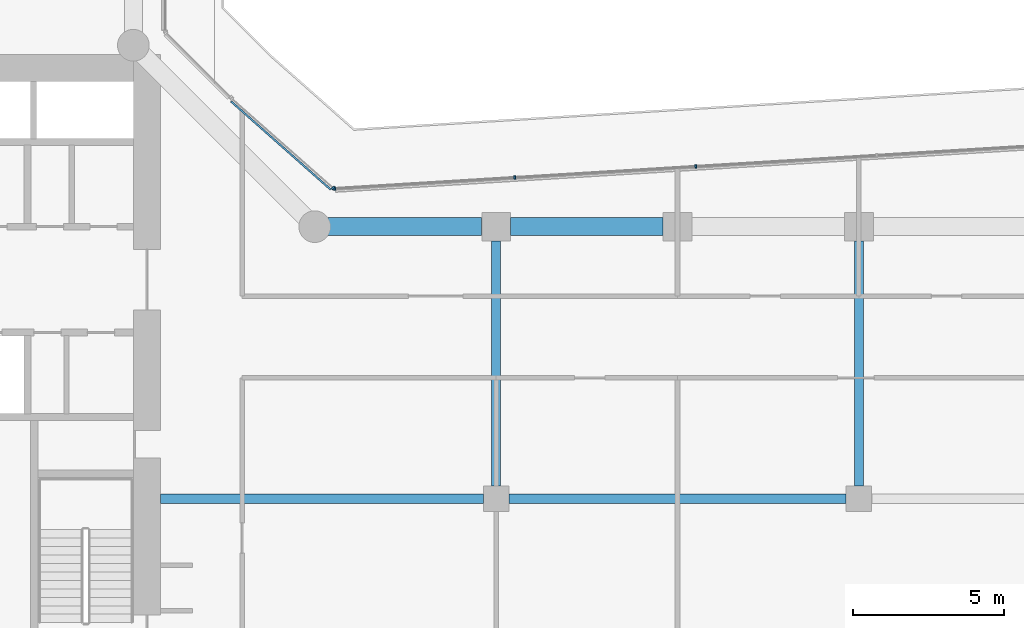
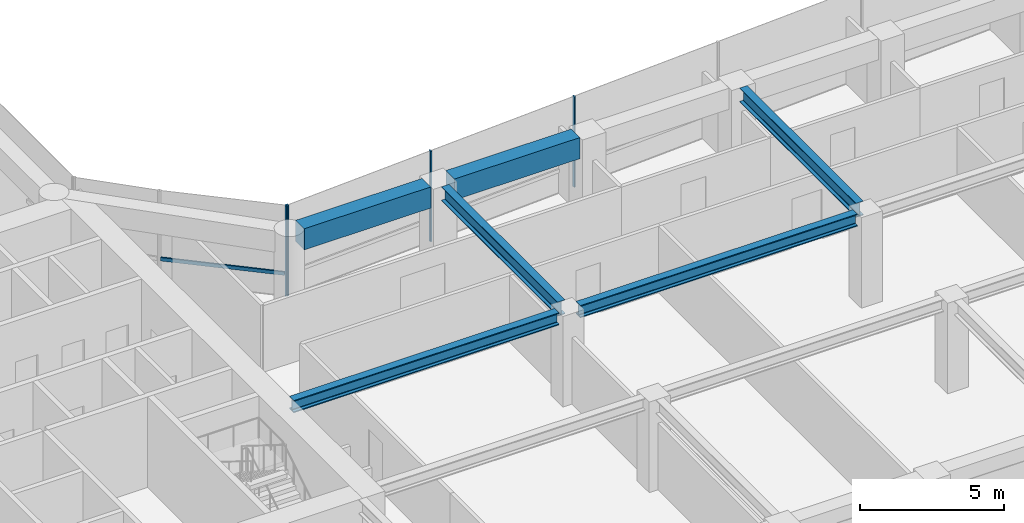
# One storey, part 9 of 29: 6 beams, 5 members, 2 elements without a shape of their own.
"""IFC4 building model written with IfcOpenShell, lengths in metres."""

from ifc_helpers import new_model, si_unit, direction, frame, origin, origin_2d, place, context, subcontext, project, spatial, rectangle, i_section, extrude, material, layer, layer_set, material_profile, profile_set, type_object, element, aggregate, save


model = new_model("IFC4")

# Units and contexts
model_context = context("Model", 3, precision=1e-05, world=origin(), true_north=direction((0.0, 1.0)))
body_context = subcontext(model_context, "Body", "Model", "MODEL_VIEW")
ifc_project = project(units=[si_unit("LENGTHUNIT", "METRE"), si_unit("AREAUNIT", "SQUARE_METRE"), si_unit("VOLUMEUNIT", "CUBIC_METRE"), si_unit("PLANEANGLEUNIT", "RADIAN"), si_unit("MASSUNIT", "GRAM", prefix="KILO")], contexts=[model_context])

# Site, building, storey
site_placement = place(None, origin())
site = spatial("IfcSite", under=ifc_project, at=site_placement, CompositionType="ELEMENT")
building_placement = place(site_placement, origin())
building = spatial("IfcBuilding", under=site, at=building_placement, Name="Welwitschia Terrace Campus", CompositionType="ELEMENT")
storey_placement = place(building_placement, frame((0.0, 0.0, 66.800048828125)))
storey = spatial("IfcBuildingStorey", under=building, at=storey_placement, Name="L15", CompositionType="ELEMENT", Elevation=66.800048828125)

# Beams
ifc_material_1 = material(Name="Steel S355", Category="steel")
ifc_material_profile_1 = material_profile(ifc_material_1, i_section(OverallWidth=0.305908203125, OverallDepth=0.52392578125, WebThickness=0.02099609375, FlangeThickness=0.0400390625, FilletRadius=0.027099609375, at=origin_2d()))
ifc_profile_set_1 = profile_set([ifc_material_profile_1], Name="Steel S355")
beam_type_1 = type_object("IfcBeamType", Name="Interior girder HE 500 M", PredefinedType="BEAM", material=ifc_profile_set_1)
beam_1_placement = place(storey_placement, frame((24.90087890625, 11.0, 3.587890625), z_axis=(1.0, 0.0, 0.0), x_axis=(0.0, 1.0, 0.0)))
element("IfcBeam", 1, at=beam_1_placement, inside=storey, type_object=beam_type_1, Name="Girder GB2", PredefinedType="BEAM", context=body_context, shape_type="SweptSolid", body=[
    extrude(i_section(OverallWidth=0.305908203125, OverallDepth=0.52392578125, WebThickness=0.02099609375, FlangeThickness=0.0400390625, FilletRadius=0.027099609375, at=origin_2d()), origin(), (0.0, 0.0, 1.0), 10.673583984375),
])
beam_2_placement = place(storey_placement, frame((36.425537109375, 11.0, 3.587890625), z_axis=(1.0, 0.0, 0.0), x_axis=(0.0, 1.0, 0.0)))
element("IfcBeam", 2, at=beam_2_placement, inside=storey, type_object=beam_type_1, Name="Girder GB2", PredefinedType="BEAM", context=body_context, shape_type="SweptSolid", body=[
    extrude(i_section(OverallWidth=0.305908203125, OverallDepth=0.52392578125, WebThickness=0.02099609375, FlangeThickness=0.0400390625, FilletRadius=0.027099609375, at=origin_2d()), origin(), (0.0, 0.0, 1.0), 11.14892578125),
])

# Curtain wall, members
ifc_material_2 = material(Name="Bronze anodised aluminium", Category="aluminium")
ifc_layer = layer(ifc_material_2, 0.1201171875)
ifc_layer_set = layer_set([ifc_layer], Name="Bronze anodised aluminium")
curtain_wall_type = type_object("IfcCurtainWallType", Name="Curtain wall CW2 tower 6000", PredefinedType="NOTDEFINED", material=ifc_layer_set)
curtain_wall_1_placement = place(storey_placement, origin())
curtain_wall_1 = element("IfcCurtainWall", 3, at=curtain_wall_1_placement, inside=storey, type_object=curtain_wall_type, Name="CW L15.7.0", PredefinedType="NOTDEFINED")
ifc_material_3 = material(Name="Bronze anodised aluminium", Category="aluminium")
ifc_material_profile_2 = material_profile(ifc_material_3, rectangle(XDim=0.1201171875, YDim=0.06005859375, at=origin_2d()))
ifc_profile_set_2 = profile_set([ifc_material_profile_2], Name="Bronze anodised aluminium")
member_type_1 = type_object("IfcMemberType", Name="Mullion 60x120", PredefinedType="MULLION", material=ifc_profile_set_2)
member_1_placement = place(storey_placement, frame((42.60693359375, 21.989990234375, 0.0), z_axis=(0.0, 0.0, 1.0), x_axis=(0.061048539535, -0.998134798422, 0.0)))
member_1 = element("IfcMember", 4, at=member_1_placement, type_object=member_type_1, Name="Mullion L15.7.0.3", PredefinedType="MULLION", context=body_context, shape_type="SweptSolid", body=[
    extrude(rectangle(XDim=0.1201171875, YDim=0.06005859375, at=origin_2d()), origin(), (0.0, 0.0, 1.0), 3.849853515625),
])
member_2_placement = place(storey_placement, frame((36.6181640625, 21.623779296875, 0.0), z_axis=(0.0, 0.0, 1.0), x_axis=(0.061048539535, -0.998134798422, 0.0)))
member_2 = element("IfcMember", 5, at=member_2_placement, type_object=member_type_1, Name="Mullion L15.7.0.4", PredefinedType="MULLION", context=body_context, shape_type="SweptSolid", body=[
    extrude(rectangle(XDim=0.1201171875, YDim=0.06005859375, at=origin_2d()), origin(), (0.0, 0.0, 1.0), 3.849853515625),
])
member_3_placement = place(storey_placement, frame((30.6591796875, 21.25927734375, 0.0), z_axis=(0.0, 0.0, 1.0), x_axis=(0.061048539535, -0.998134798422, 0.0)))
member_3 = element("IfcMember", 6, at=member_3_placement, type_object=member_type_1, Name="Mullion L15.7.0.5", PredefinedType="MULLION", context=body_context, shape_type="SweptSolid", body=[
    extrude(rectangle(XDim=0.1201171875, YDim=0.06005859375, at=origin_2d()), origin(), (0.0, 0.0, 1.0), 3.849853515625),
])
aggregate(curtain_wall_1, [member_1, member_2, member_3])

# Curtain wall, member
curtain_wall_2_placement = place(storey_placement, origin())
curtain_wall_2 = element("IfcCurtainWall", 7, at=curtain_wall_2_placement, inside=storey, type_object=curtain_wall_type, Name="CW L15.8.0", PredefinedType="NOTDEFINED")
member_4_placement = place(storey_placement, frame((30.60693359375, 21.27734375, 0.0), z_axis=(0.0, 0.0, 1.0), x_axis=(-0.662620048216, -0.748955720789, 0.0)))
member_4 = element("IfcMember", 8, at=member_4_placement, type_object=member_type_1, Name="Mullion L15.8.0.0", PredefinedType="MULLION", context=body_context, shape_type="SweptSolid", body=[
    extrude(rectangle(XDim=0.1201171875, YDim=0.06005859375, at=origin_2d()), origin(), (0.0, 0.0, 1.0), 3.849853515625),
])

# Beams
ifc_material_4 = material(Name="Steel S355", Category="steel")
ifc_material_profile_3 = material_profile(ifc_material_4, i_section(OverallWidth=0.300048828125, OverallDepth=0.60009765625, WebThickness=0.015380859375, FlangeThickness=0.030029296875, FilletRadius=0.027099609375, at=origin_2d()))
ifc_profile_set_3 = profile_set([ifc_material_profile_3], Name="Steel S355")
beam_type_2 = type_object("IfcBeamType", Name="Primary beam HE 600 B", PredefinedType="BEAM", material=ifc_profile_set_3)
for number, where, z_axis, x_axis, name in (
    (9, (48.0, 19.5244140625, 3.550048828125), (0.0, -1.0, 0.0), (1.0, 0.0, 0.0), "Primary beam PB2"),
    (10, (36.0, 19.5244140625, 3.550048828125), (0.0, -1.0, 0.0), (1.0, 0.0, 0.0), "Primary beam PB2"),
):
    element("IfcBeam", number, at=place(storey_placement, frame(where, z_axis=z_axis, x_axis=x_axis)), inside=storey, type_object=beam_type_2, Name=name, PredefinedType="BEAM", context=body_context, shape_type="SweptSolid", body=[
        extrude(i_section(OverallWidth=0.300048828125, OverallDepth=0.60009765625, WebThickness=0.015380859375, FlangeThickness=0.030029296875, FilletRadius=0.027099609375, at=origin_2d()), origin(), (0.0, 0.0, 1.0), 8.098876953125),
    ])
ifc_material_5 = material(Name="Concrete C60/75", Category="concrete")
ifc_material_profile_4 = material_profile(ifc_material_5, rectangle(XDim=0.60009765625, YDim=0.89990234375, at=origin_2d()))
ifc_profile_set_4 = profile_set([ifc_material_profile_4], Name="Concrete C60/75")
beam_type_3 = type_object("IfcBeamType", Name="Ring spandrel 600x900", PredefinedType="SPANDREL", material=ifc_profile_set_4)
beam_3_placement = place(storey_placement, frame((41.5244140625, 20.0, 3.39990234375), z_axis=(-1.0, 0.0, 0.0), x_axis=(0.0, -1.0, 0.0)))
element("IfcBeam", 11, at=beam_3_placement, inside=storey, type_object=beam_type_3, Name="Spandrel SP2", PredefinedType="SPANDREL", context=body_context, shape_type="SweptSolid", body=[
    extrude(rectangle(XDim=0.60009765625, YDim=0.89990234375, at=origin_2d()), origin(), (0.0, 0.0, 1.0), 5.048828125),
])
beam_4_placement = place(storey_placement, frame((35.5244140625, 20.0, 3.39990234375), z_axis=(-1.0, 0.0, 0.0), x_axis=(0.0, -1.0, 0.0)))
element("IfcBeam", 12, at=beam_4_placement, inside=storey, type_object=beam_type_3, Name="Spandrel SP2", PredefinedType="SPANDREL", context=body_context, shape_type="SweptSolid", body=[
    extrude(rectangle(XDim=0.60009765625, YDim=0.89990234375, at=origin_2d()), origin(), (0.0, 0.0, 1.0), 5.093017578125),
])

# Member
ifc_material_6 = material(Name="Bronze anodised aluminium", Category="aluminium")
ifc_material_profile_5 = material_profile(ifc_material_6, rectangle(XDim=0.06005859375, YDim=0.14990234375, at=origin_2d()))
ifc_profile_set_5 = profile_set([ifc_material_profile_5], Name="Bronze anodised aluminium")
member_type_2 = type_object("IfcMemberType", Name="Transom 60x150", PredefinedType="USERDEFINED", material=ifc_profile_set_5)
member_5_placement = place(storey_placement, frame((30.524658203125, 21.22998046875, 1.0), z_axis=(-0.748942599999, 0.662634878276, 0.0), x_axis=(-0.662634878276, -0.748942599999, 0.0)))
member_5 = element("IfcMember", 13, at=member_5_placement, type_object=member_type_2, Name="Transom L15.8.0", ObjectType="TRANSOM", PredefinedType="USERDEFINED", context=body_context, shape_type="SweptSolid", body=[
    extrude(rectangle(XDim=0.06005859375, YDim=0.14990234375, at=origin_2d()), origin(), (0.0, 0.0, 1.0), 4.404296875),
])

aggregate(curtain_wall_2, [member_4, member_5])

save(model, "model.ifc")
